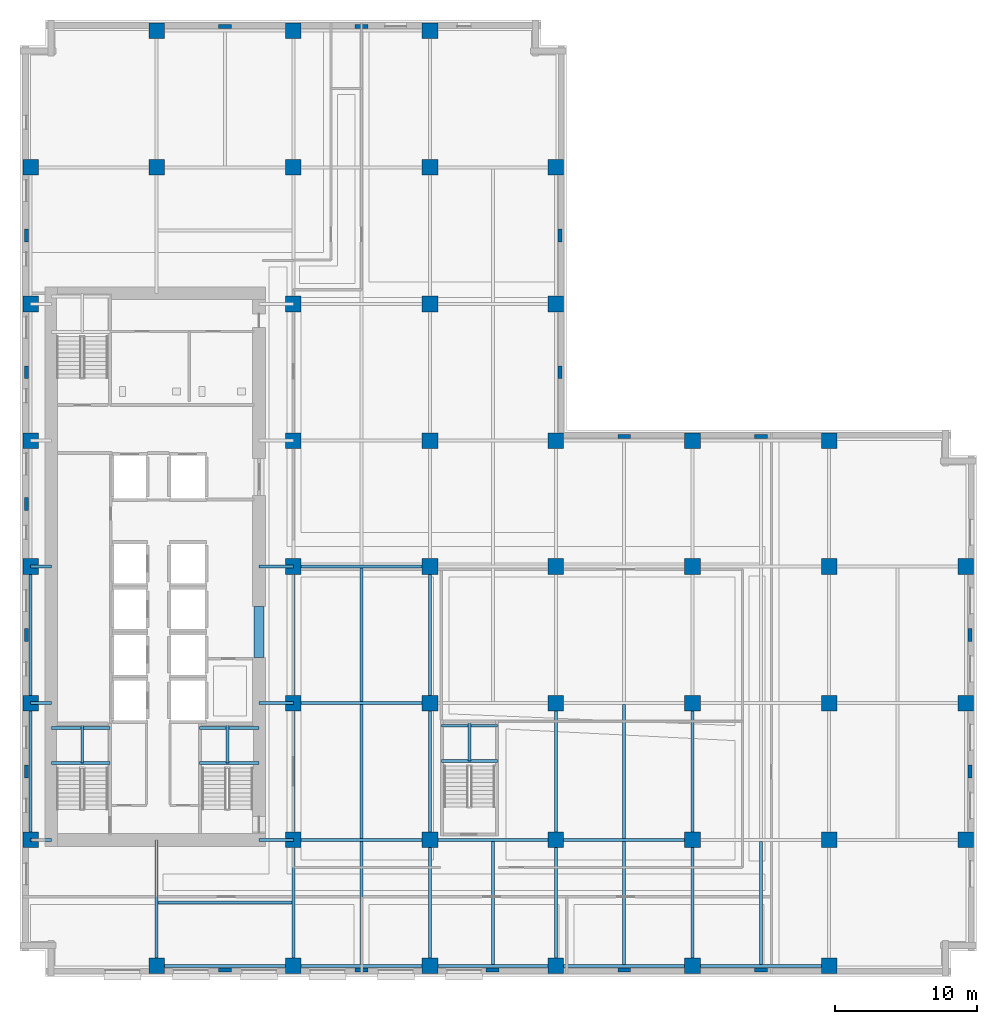
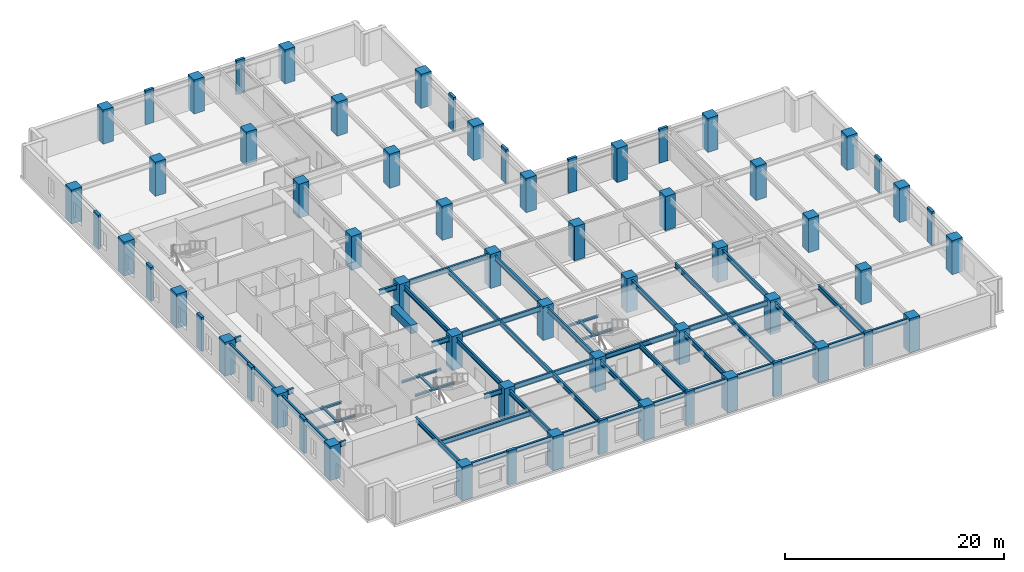
# One storey, part 1 of 14: 63 columns, 47 beams.
"""IFC4 building model written with IfcOpenShell, lengths in metres."""

from ifc_helpers import new_model, si_unit, direction, frame, origin, origin_2d, place, context, subcontext, project, spatial, rectangle, i_section, extrude, material, material_profile, profile_set, type_object, element, save


model = new_model("IFC4")

# Units and contexts
model_context = context("Model", 3, precision=1e-05, world=origin(), true_north=direction((0.0, 1.0)))
body_context = subcontext(model_context, "Body", "Model", "MODEL_VIEW")
ifc_project = project(units=[si_unit("LENGTHUNIT", "METRE"), si_unit("AREAUNIT", "SQUARE_METRE"), si_unit("VOLUMEUNIT", "CUBIC_METRE"), si_unit("PLANEANGLEUNIT", "RADIAN"), si_unit("MASSUNIT", "GRAM", prefix="KILO")], contexts=[model_context])

# Site, building, storey
site_placement = place(None, origin())
site = spatial("IfcSite", under=ifc_project, at=site_placement, CompositionType="ELEMENT")
building_placement = place(site_placement, origin())
building = spatial("IfcBuilding", under=site, at=building_placement, Name="Norrvale University Quadrangle", CompositionType="ELEMENT")
storey_placement = place(building_placement, frame((0.0, 0.0, 73.60009765625)))
storey = spatial("IfcBuildingStorey", under=building, at=storey_placement, Name="L18", CompositionType="ELEMENT", Elevation=73.60009765625)

# Columns
ifc_material_1 = material(Name="Buff Brick Concrete C60/75", Category="concrete")
ifc_material_profile_1 = material_profile(ifc_material_1, rectangle(XDim=0.89990234375, YDim=0.280029296875, at=origin_2d()), Name="Buff Brick Concrete C60/75")
ifc_profile_set_1 = profile_set([ifc_material_profile_1], Name="Buff Brick Concrete C60/75")
column_type_1 = type_object("IfcColumnType", Name="Column Buff Pier 900x280", PredefinedType="PILASTER", material=ifc_profile_set_1)
for number, where, z_axis, x_axis, name in (
    (1, (0.449951171875, 14.39990234375, 0.0), (0.0, 0.0, 1.0), (0.0, 1.0, 0.0), "Exterior Brick Facade Pilaster L18-01"),
    (2, (0.449951171875, 24.0, 0.0), (0.0, 0.0, 1.0), (0.0, 1.0, 0.0), "Exterior Brick Facade Pilaster L18-02"),
    (3, (0.449951171875, 33.199951171875, 0.0), (0.0, 0.0, 1.0), (0.0, 1.0, 0.0), "Exterior Brick Facade Pilaster L18-03"),
    (4, (0.449951171875, 42.449951171875, 0.0), (0.0, 0.0, 1.0), (0.0, 1.0, 0.0), "Exterior Brick Facade Pilaster L18-04"),
    (5, (0.449951171875, 52.050048828125, 0.0), (0.0, 0.0, 1.0), (0.0, 1.0, 0.0), "Exterior Brick Facade Pilaster L18-05"),
    (6, (14.39990234375, 0.449951171875, 0.0), (0.0, 0.0, 1.0), (1.0, 0.0, 0.0), "Exterior Brick Facade Pilaster L18-06"),
    (7, (24.0, 0.449951171875, 0.0), (0.0, 0.0, 1.0), (1.0, 0.0, 0.0), "Exterior Brick Facade Pilaster L18-07"),
    (8, (33.199951171875, 0.449951171875, 0.0), (0.0, 0.0, 1.0), (1.0, 0.0, 0.0), "Exterior Brick Facade Pilaster L18-08"),
    (9, (42.449951171875, 0.449951171875, 0.0), (0.0, 0.0, 1.0), (1.0, 0.0, 0.0), "Exterior Brick Facade Pilaster L18-09"),
    (10, (52.050048828125, 0.449951171875, 0.0), (0.0, 0.0, 1.0), (1.0, 0.0, 0.0), "Exterior Brick Facade Pilaster L18-10"),
    (11, (66.75, 14.39990234375, 0.0), (0.0, 0.0, 1.0), (0.0, 1.0, 0.0), "Exterior Brick Facade Pilaster L18-11"),
    (12, (66.75, 24.0, 0.0), (0.0, 0.0, 1.0), (0.0, 1.0, 0.0), "Exterior Brick Facade Pilaster L18-12"),
    (13, (14.39990234375, 66.75, 0.0), (0.0, 0.0, 1.0), (1.0, 0.0, 0.0), "Exterior Brick Facade Pilaster L18-13"),
    (14, (24.0, 66.75, 0.0), (0.0, 0.0, 1.0), (1.0, 0.0, 0.0), "Exterior Brick Facade Pilaster L18-14"),
    (15, (37.949951171875, 42.449951171875, 0.0), (0.0, 0.0, 1.0), (0.0, 1.0, 0.0), "Exterior Brick Facade Pilaster L18-15"),
    (16, (37.949951171875, 52.050048828125, 0.0), (0.0, 0.0, 1.0), (0.0, 1.0, 0.0), "Exterior Brick Facade Pilaster L18-16"),
    (17, (42.449951171875, 37.949951171875, 0.0), (0.0, 0.0, 1.0), (1.0, 0.0, 0.0), "Exterior Brick Facade Pilaster L18-17"),
    (18, (52.050048828125, 37.949951171875, 0.0), (0.0, 0.0, 1.0), (1.0, 0.0, 0.0), "Exterior Brick Facade Pilaster L18-18"),
):
    element("IfcColumn", number, at=place(storey_placement, frame(where, z_axis=z_axis, x_axis=x_axis)), inside=storey, type_object=column_type_1, Name=name, PredefinedType="PILASTER", context=body_context, shape_type="SweptSolid", body=[
        extrude(rectangle(XDim=0.89990234375, YDim=0.280029296875, at=origin_2d()), origin(), (0.0, 0.0, 1.0), 3.7998046875),
    ])
ifc_material_2 = material(Name="Concrete C80/95", Category="concrete")
ifc_material_profile_2 = material_profile(ifc_material_2, rectangle(XDim=1.10009765625, YDim=1.10009765625, at=origin_2d()), Name="Concrete C80/95")
ifc_profile_set_2 = profile_set([ifc_material_profile_2], Name="Concrete C80/95")
column_type_2 = type_object("IfcColumnType", Name="Column Tower Z1 1100x1100", PredefinedType="COLUMN", material=ifc_profile_set_2)
for number, where, z_axis, x_axis, name in (
    (19, (0.75, 9.60009765625, 0.0), (0.0, 0.0, 1.0), (1.0, 0.0, 0.0), "Tower Column L18-T01"),
    (20, (0.75, 19.199951171875, 0.0), (0.0, 0.0, 1.0), (1.0, 0.0, 0.0), "Tower Column L18-T02"),
    (21, (0.75, 28.800048828125, 0.0), (0.0, 0.0, 1.0), (1.0, 0.0, 0.0), "Tower Column L18-T03"),
    (22, (0.75, 37.64990234375, 0.0), (0.0, 0.0, 1.0), (1.0, 0.0, 0.0), "Tower Column L18-T04"),
    (23, (0.75, 47.25, 0.0), (0.0, 0.0, 1.0), (1.0, 0.0, 0.0), "Tower Column L18-T05"),
    (24, (0.75, 56.85009765625, 0.0), (0.0, 0.0, 1.0), (1.0, 0.0, 0.0), "Tower Column L18-T06"),
    (25, (9.60009765625, 0.75, 0.0), (0.0, 0.0, 1.0), (1.0, 0.0, 0.0), "Tower Column L18-T07"),
    (26, (9.60009765625, 56.85009765625, 0.0), (0.0, 0.0, 1.0), (1.0, 0.0, 0.0), "Tower Column L18-T08"),
    (27, (9.60009765625, 66.449951171875, 0.0), (0.0, 0.0, 1.0), (1.0, 0.0, 0.0), "Tower Column L18-T09"),
    (28, (19.199951171875, 0.75, 0.0), (0.0, 0.0, 1.0), (1.0, 0.0, 0.0), "Tower Column L18-T10"),
    (29, (19.199951171875, 9.60009765625, 0.0), (0.0, 0.0, 1.0), (1.0, 0.0, 0.0), "Tower Column L18-T11"),
    (30, (19.199951171875, 19.199951171875, 0.0), (0.0, 0.0, 1.0), (1.0, 0.0, 0.0), "Tower Column L18-T12"),
    (31, (19.199951171875, 28.800048828125, 0.0), (0.0, 0.0, 1.0), (1.0, 0.0, 0.0), "Tower Column L18-T13"),
    (32, (19.199951171875, 37.64990234375, 0.0), (0.0, 0.0, 1.0), (1.0, 0.0, 0.0), "Tower Column L18-T14"),
    (33, (19.199951171875, 47.25, 0.0), (0.0, 0.0, 1.0), (1.0, 0.0, 0.0), "Tower Column L18-T15"),
    (34, (19.199951171875, 56.85009765625, 0.0), (0.0, 0.0, 1.0), (1.0, 0.0, 0.0), "Tower Column L18-T16"),
    (35, (19.199951171875, 66.449951171875, 0.0), (0.0, 0.0, 1.0), (1.0, 0.0, 0.0), "Tower Column L18-T17"),
    (36, (28.800048828125, 0.75, 0.0), (0.0, 0.0, 1.0), (1.0, 0.0, 0.0), "Tower Column L18-T18"),
    (37, (28.800048828125, 9.60009765625, 0.0), (0.0, 0.0, 1.0), (1.0, 0.0, 0.0), "Tower Column L18-T19"),
    (38, (28.800048828125, 19.199951171875, 0.0), (0.0, 0.0, 1.0), (1.0, 0.0, 0.0), "Tower Column L18-T20"),
    (39, (28.800048828125, 28.800048828125, 0.0), (0.0, 0.0, 1.0), (1.0, 0.0, 0.0), "Tower Column L18-T21"),
    (40, (28.800048828125, 37.64990234375, 0.0), (0.0, 0.0, 1.0), (1.0, 0.0, 0.0), "Tower Column L18-T22"),
    (41, (28.800048828125, 47.25, 0.0), (0.0, 0.0, 1.0), (1.0, 0.0, 0.0), "Tower Column L18-T23"),
    (42, (28.800048828125, 56.85009765625, 0.0), (0.0, 0.0, 1.0), (1.0, 0.0, 0.0), "Tower Column L18-T24"),
    (43, (28.800048828125, 66.449951171875, 0.0), (0.0, 0.0, 1.0), (1.0, 0.0, 0.0), "Tower Column L18-T25"),
    (44, (37.64990234375, 0.75, 0.0), (0.0, 0.0, 1.0), (1.0, 0.0, 0.0), "Tower Column L18-T26"),
    (45, (37.64990234375, 9.60009765625, 0.0), (0.0, 0.0, 1.0), (1.0, 0.0, 0.0), "Tower Column L18-T27"),
    (46, (37.64990234375, 19.199951171875, 0.0), (0.0, 0.0, 1.0), (1.0, 0.0, 0.0), "Tower Column L18-T28"),
    (47, (37.64990234375, 28.800048828125, 0.0), (0.0, 0.0, 1.0), (1.0, 0.0, 0.0), "Tower Column L18-T29"),
    (48, (37.64990234375, 37.64990234375, 0.0), (0.0, 0.0, 1.0), (1.0, 0.0, 0.0), "Tower Column L18-T30"),
    (49, (37.64990234375, 47.25, 0.0), (0.0, 0.0, 1.0), (1.0, 0.0, 0.0), "Tower Column L18-T31"),
    (50, (37.64990234375, 56.85009765625, 0.0), (0.0, 0.0, 1.0), (1.0, 0.0, 0.0), "Tower Column L18-T32"),
    (51, (47.25, 0.75, 0.0), (0.0, 0.0, 1.0), (1.0, 0.0, 0.0), "Tower Column L18-T33"),
    (52, (47.25, 9.60009765625, 0.0), (0.0, 0.0, 1.0), (1.0, 0.0, 0.0), "Tower Column L18-T34"),
    (53, (47.25, 19.199951171875, 0.0), (0.0, 0.0, 1.0), (1.0, 0.0, 0.0), "Tower Column L18-T35"),
    (54, (47.25, 28.800048828125, 0.0), (0.0, 0.0, 1.0), (1.0, 0.0, 0.0), "Tower Column L18-T36"),
    (55, (47.25, 37.64990234375, 0.0), (0.0, 0.0, 1.0), (1.0, 0.0, 0.0), "Tower Column L18-T37"),
    (56, (56.85009765625, 0.75, 0.0), (0.0, 0.0, 1.0), (1.0, 0.0, 0.0), "Tower Column L18-T38"),
    (57, (56.85009765625, 9.60009765625, 0.0), (0.0, 0.0, 1.0), (1.0, 0.0, 0.0), "Tower Column L18-T39"),
    (58, (56.85009765625, 19.199951171875, 0.0), (0.0, 0.0, 1.0), (1.0, 0.0, 0.0), "Tower Column L18-T40"),
    (59, (56.85009765625, 28.800048828125, 0.0), (0.0, 0.0, 1.0), (1.0, 0.0, 0.0), "Tower Column L18-T41"),
    (60, (56.85009765625, 37.64990234375, 0.0), (0.0, 0.0, 1.0), (1.0, 0.0, 0.0), "Tower Column L18-T42"),
    (61, (66.449951171875, 9.60009765625, 0.0), (0.0, 0.0, 1.0), (1.0, 0.0, 0.0), "Tower Column L18-T43"),
    (62, (66.449951171875, 19.199951171875, 0.0), (0.0, 0.0, 1.0), (1.0, 0.0, 0.0), "Tower Column L18-T44"),
    (63, (66.449951171875, 28.800048828125, 0.0), (0.0, 0.0, 1.0), (1.0, 0.0, 0.0), "Tower Column L18-T45"),
):
    element("IfcColumn", number, at=place(storey_placement, frame(where, z_axis=z_axis, x_axis=x_axis)), inside=storey, type_object=column_type_2, Name=name, PredefinedType="COLUMN", context=body_context, shape_type="SweptSolid", body=[
        extrude(rectangle(XDim=1.10009765625, YDim=1.10009765625, at=origin_2d()), origin(), (0.0, 0.0, 1.0), 3.7998046875),
    ])

# Beams
ifc_material_profile_3 = material_profile(ifc_material_2, rectangle(XDim=0.699951171875, YDim=0.949951171875, at=origin_2d()), Name="Concrete C80/95")
ifc_profile_set_3 = profile_set([ifc_material_profile_3], Name="Concrete C80/95")
beam_type_1 = type_object("IfcBeamType", Name="Beam Core Link 700x950", PredefinedType="LINTEL", material=ifc_profile_set_3)
beam_1_placement = place(storey_placement, frame((16.800048828125, 22.39990234375, 3.06494140625), z_axis=(0.0, 1.0, 0.0), x_axis=(-1.0, 0.0, 0.0)))
element("IfcBeam", 64, at=beam_1_placement, inside=storey, type_object=beam_type_1, Name="Core Coupling Lintel Beam L18-1", PredefinedType="LINTEL", context=body_context, shape_type="SweptSolid", body=[
    extrude(rectangle(XDim=0.699951171875, YDim=0.949951171875, at=origin_2d()), origin(), (0.0, 0.0, 1.0), 3.60009765625),
])
ifc_material_3 = material(Name="Steel 350W", Category="steel")
ifc_material_profile_4 = material_profile(ifc_material_3, i_section(OverallWidth=0.2119140625, OverallDepth=0.5439453125, WebThickness=0.01318359375, FlangeThickness=0.021240234375, FilletRadius=0.013916015625, at=origin_2d()), Name="Steel 350W")
ifc_profile_set_4 = profile_set([ifc_material_profile_4], Name="Steel 350W")
beam_type_2 = type_object("IfcBeamType", Name="Beam Floor W530x123", PredefinedType="BEAM", material=ifc_profile_set_4)
beam_2_placement = place(storey_placement, frame((9.60009765625, 0.75, 3.267822265625), z_axis=(1.0, 0.0, 0.0), x_axis=(0.0, 1.0, 0.0)))
element("IfcBeam", 65, at=beam_2_placement, inside=storey, type_object=beam_type_2, Name="Beam Floor W530x123 BM-L18-GX001", PredefinedType="BEAM", context=body_context, shape_type="SweptSolid", body=[
    extrude(i_section(OverallWidth=0.2119140625, OverallDepth=0.5439453125, WebThickness=0.01318359375, FlangeThickness=0.021240234375, FilletRadius=0.013916015625, at=origin_2d()), origin(), (0.0, 0.0, 1.0), 9.599853515625),
])
beam_3_placement = place(storey_placement, frame((19.199951171875, 0.75, 3.267822265625), z_axis=(1.0, 0.0, 0.0), x_axis=(0.0, 1.0, 0.0)))
element("IfcBeam", 66, at=beam_3_placement, inside=storey, type_object=beam_type_2, Name="Beam Floor W530x123 BM-L18-GX002", PredefinedType="BEAM", context=body_context, shape_type="SweptSolid", body=[
    extrude(i_section(OverallWidth=0.2119140625, OverallDepth=0.5439453125, WebThickness=0.01318359375, FlangeThickness=0.021240234375, FilletRadius=0.013916015625, at=origin_2d()), origin(), (0.0, 0.0, 1.0), 9.60009765625),
])
beam_4_placement = place(storey_placement, frame((28.800048828125, 0.75, 3.267822265625), z_axis=(1.0, 0.0, 0.0), x_axis=(0.0, 1.0, 0.0)))
element("IfcBeam", 67, at=beam_4_placement, inside=storey, type_object=beam_type_2, Name="Beam Floor W530x123 BM-L18-GX003", PredefinedType="BEAM", context=body_context, shape_type="SweptSolid", body=[
    extrude(i_section(OverallWidth=0.2119140625, OverallDepth=0.5439453125, WebThickness=0.01318359375, FlangeThickness=0.021240234375, FilletRadius=0.013916015625, at=origin_2d()), origin(), (0.0, 0.0, 1.0), 8.849853515625),
])
for number, where, z_axis, x_axis, name in (
    (68, (37.64990234375, 0.75, 3.267822265625), (1.0, 0.0, 0.0), (0.0, 1.0, 0.0), "Beam Floor W530x123 BM-L18-GX004"),
    (69, (47.25, 0.75, 3.267822265625), (1.0, 0.0, 0.0), (0.0, 1.0, 0.0), "Beam Floor W530x123 BM-L18-GX005"),
    (70, (19.199951171875, 9.60009765625, 3.267822265625), (1.0, 0.0, 0.0), (0.0, 1.0, 0.0), "Beam Floor W530x123 BM-L18-GX006"),
):
    element("IfcBeam", number, at=place(storey_placement, frame(where, z_axis=z_axis, x_axis=x_axis)), inside=storey, type_object=beam_type_2, Name=name, PredefinedType="BEAM", context=body_context, shape_type="SweptSolid", body=[
        extrude(i_section(OverallWidth=0.2119140625, OverallDepth=0.5439453125, WebThickness=0.01318359375, FlangeThickness=0.021240234375, FilletRadius=0.013916015625, at=origin_2d()), origin(), (0.0, 0.0, 1.0), 9.60009765625),
    ])
beam_5_placement = place(storey_placement, frame((28.800048828125, 9.60009765625, 3.267822265625), z_axis=(1.0, 0.0, 0.0), x_axis=(0.0, 1.0, 0.0)))
element("IfcBeam", 71, at=beam_5_placement, inside=storey, type_object=beam_type_2, Name="Beam Floor W530x123 BM-L18-GX007", PredefinedType="BEAM", context=body_context, shape_type="SweptSolid", body=[
    extrude(i_section(OverallWidth=0.2119140625, OverallDepth=0.5439453125, WebThickness=0.01318359375, FlangeThickness=0.021240234375, FilletRadius=0.013916015625, at=origin_2d()), origin(), (0.0, 0.0, 1.0), 8.849853515625),
])
for number, where, z_axis, x_axis, name in (
    (72, (37.64990234375, 9.60009765625, 3.267822265625), (1.0, 0.0, 0.0), (0.0, 1.0, 0.0), "Beam Floor W530x123 BM-L18-GX008"),
    (73, (19.199951171875, 19.199951171875, 3.267822265625), (1.0, 0.0, 0.0), (0.0, 1.0, 0.0), "Beam Floor W530x123 BM-L18-GX011"),
    (74, (19.199951171875, 28.800048828125, 3.267822265625), (1.0, 0.0, 0.0), (0.0, 1.0, 0.0), "Beam Floor W530x123 BM-L18-GX016"),
):
    element("IfcBeam", number, at=place(storey_placement, frame(where, z_axis=z_axis, x_axis=x_axis)), inside=storey, type_object=beam_type_2, Name=name, PredefinedType="BEAM", context=body_context, shape_type="SweptSolid", body=[
        extrude(i_section(OverallWidth=0.2119140625, OverallDepth=0.5439453125, WebThickness=0.01318359375, FlangeThickness=0.021240234375, FilletRadius=0.013916015625, at=origin_2d()), origin(), (0.0, 0.0, 1.0), 9.60009765625),
    ])
beam_6_placement = place(storey_placement, frame((0.75, 9.60009765625, 3.267822265625), z_axis=(0.0, 1.0, 0.0), x_axis=(-1.0, 0.0, 0.0)))
element("IfcBeam", 75, at=beam_6_placement, inside=storey, type_object=beam_type_2, Name="Beam Floor W530x123 BM-L18-GY033", PredefinedType="BEAM", context=body_context, shape_type="SweptSolid", body=[
    extrude(i_section(OverallWidth=0.2119140625, OverallDepth=0.5439453125, WebThickness=0.01318359375, FlangeThickness=0.021240234375, FilletRadius=0.013916015625, at=origin_2d()), origin(), (0.0, 0.0, 1.0), 9.599853515625),
])
beam_7_placement = place(storey_placement, frame((0.75, 19.199951171875, 3.267822265625), z_axis=(0.0, 1.0, 0.0), x_axis=(-1.0, 0.0, 0.0)))
element("IfcBeam", 76, at=beam_7_placement, inside=storey, type_object=beam_type_2, Name="Beam Floor W530x123 BM-L18-GY034", PredefinedType="BEAM", context=body_context, shape_type="SweptSolid", body=[
    extrude(i_section(OverallWidth=0.2119140625, OverallDepth=0.5439453125, WebThickness=0.01318359375, FlangeThickness=0.021240234375, FilletRadius=0.013916015625, at=origin_2d()), origin(), (0.0, 0.0, 1.0), 9.60009765625),
])
beam_8_placement = place(storey_placement, frame((19.199951171875, 0.75, 3.267822265625), z_axis=(0.0, 1.0, 0.0), x_axis=(-1.0, 0.0, 0.0)))
element("IfcBeam", 77, at=beam_8_placement, inside=storey, type_object=beam_type_2, Name="Beam Floor W530x123 BM-L18-GY039", PredefinedType="BEAM", context=body_context, shape_type="SweptSolid", body=[
    extrude(i_section(OverallWidth=0.2119140625, OverallDepth=0.5439453125, WebThickness=0.01318359375, FlangeThickness=0.021240234375, FilletRadius=0.013916015625, at=origin_2d()), origin(), (0.0, 0.0, 1.0), 8.85009765625),
])
beam_9_placement = place(storey_placement, frame((19.199951171875, 9.60009765625, 3.267822265625), z_axis=(0.0, 1.0, 0.0), x_axis=(-1.0, 0.0, 0.0)))
element("IfcBeam", 78, at=beam_9_placement, inside=storey, type_object=beam_type_2, Name="Beam Floor W530x123 BM-L18-GY040", PredefinedType="BEAM", context=body_context, shape_type="SweptSolid", body=[
    extrude(i_section(OverallWidth=0.2119140625, OverallDepth=0.5439453125, WebThickness=0.01318359375, FlangeThickness=0.021240234375, FilletRadius=0.013916015625, at=origin_2d()), origin(), (0.0, 0.0, 1.0), 9.599853515625),
])
beam_10_placement = place(storey_placement, frame((19.199951171875, 19.199951171875, 3.267822265625), z_axis=(0.0, 1.0, 0.0), x_axis=(-1.0, 0.0, 0.0)))
element("IfcBeam", 79, at=beam_10_placement, inside=storey, type_object=beam_type_2, Name="Beam Floor W530x123 BM-L18-GY041", PredefinedType="BEAM", context=body_context, shape_type="SweptSolid", body=[
    extrude(i_section(OverallWidth=0.2119140625, OverallDepth=0.5439453125, WebThickness=0.01318359375, FlangeThickness=0.021240234375, FilletRadius=0.013916015625, at=origin_2d()), origin(), (0.0, 0.0, 1.0), 9.60009765625),
])
beam_11_placement = place(storey_placement, frame((28.800048828125, 0.75, 3.267822265625), z_axis=(0.0, 1.0, 0.0), x_axis=(-1.0, 0.0, 0.0)))
element("IfcBeam", 80, at=beam_11_placement, inside=storey, type_object=beam_type_2, Name="Beam Floor W530x123 BM-L18-GY046", PredefinedType="BEAM", context=body_context, shape_type="SweptSolid", body=[
    extrude(i_section(OverallWidth=0.2119140625, OverallDepth=0.5439453125, WebThickness=0.01318359375, FlangeThickness=0.021240234375, FilletRadius=0.013916015625, at=origin_2d()), origin(), (0.0, 0.0, 1.0), 8.85009765625),
])
beam_12_placement = place(storey_placement, frame((28.800048828125, 9.60009765625, 3.267822265625), z_axis=(0.0, 1.0, 0.0), x_axis=(-1.0, 0.0, 0.0)))
element("IfcBeam", 81, at=beam_12_placement, inside=storey, type_object=beam_type_2, Name="Beam Floor W530x123 BM-L18-GY047", PredefinedType="BEAM", context=body_context, shape_type="SweptSolid", body=[
    extrude(i_section(OverallWidth=0.2119140625, OverallDepth=0.5439453125, WebThickness=0.01318359375, FlangeThickness=0.021240234375, FilletRadius=0.013916015625, at=origin_2d()), origin(), (0.0, 0.0, 1.0), 9.599853515625),
])
beam_13_placement = place(storey_placement, frame((28.800048828125, 19.199951171875, 3.267822265625), z_axis=(0.0, 1.0, 0.0), x_axis=(-1.0, 0.0, 0.0)))
element("IfcBeam", 82, at=beam_13_placement, inside=storey, type_object=beam_type_2, Name="Beam Floor W530x123 BM-L18-GY048", PredefinedType="BEAM", context=body_context, shape_type="SweptSolid", body=[
    extrude(i_section(OverallWidth=0.2119140625, OverallDepth=0.5439453125, WebThickness=0.01318359375, FlangeThickness=0.021240234375, FilletRadius=0.013916015625, at=origin_2d()), origin(), (0.0, 0.0, 1.0), 9.60009765625),
])
beam_14_placement = place(storey_placement, frame((37.64990234375, 0.75, 3.267822265625), z_axis=(0.0, 1.0, 0.0), x_axis=(-1.0, 0.0, 0.0)))
element("IfcBeam", 83, at=beam_14_placement, inside=storey, type_object=beam_type_2, Name="Beam Floor W530x123 BM-L18-GY053", PredefinedType="BEAM", context=body_context, shape_type="SweptSolid", body=[
    extrude(i_section(OverallWidth=0.2119140625, OverallDepth=0.5439453125, WebThickness=0.01318359375, FlangeThickness=0.021240234375, FilletRadius=0.013916015625, at=origin_2d()), origin(), (0.0, 0.0, 1.0), 8.85009765625),
])
beam_15_placement = place(storey_placement, frame((37.64990234375, 9.60009765625, 3.267822265625), z_axis=(0.0, 1.0, 0.0), x_axis=(-1.0, 0.0, 0.0)))
element("IfcBeam", 84, at=beam_15_placement, inside=storey, type_object=beam_type_2, Name="Beam Floor W530x123 BM-L18-GY054", PredefinedType="BEAM", context=body_context, shape_type="SweptSolid", body=[
    extrude(i_section(OverallWidth=0.2119140625, OverallDepth=0.5439453125, WebThickness=0.01318359375, FlangeThickness=0.021240234375, FilletRadius=0.013916015625, at=origin_2d()), origin(), (0.0, 0.0, 1.0), 9.599853515625),
])
beam_16_placement = place(storey_placement, frame((47.25, 0.75, 3.267822265625), z_axis=(0.0, 1.0, 0.0), x_axis=(-1.0, 0.0, 0.0)))
element("IfcBeam", 85, at=beam_16_placement, inside=storey, type_object=beam_type_2, Name="Beam Floor W530x123 BM-L18-GY059", PredefinedType="BEAM", context=body_context, shape_type="SweptSolid", body=[
    extrude(i_section(OverallWidth=0.2119140625, OverallDepth=0.5439453125, WebThickness=0.01318359375, FlangeThickness=0.021240234375, FilletRadius=0.013916015625, at=origin_2d()), origin(), (0.0, 0.0, 1.0), 8.85009765625),
])
beam_17_placement = place(storey_placement, frame((47.25, 9.60009765625, 3.267822265625), z_axis=(0.0, 1.0, 0.0), x_axis=(-1.0, 0.0, 0.0)))
element("IfcBeam", 86, at=beam_17_placement, inside=storey, type_object=beam_type_2, Name="Beam Floor W530x123 BM-L18-GY060", PredefinedType="BEAM", context=body_context, shape_type="SweptSolid", body=[
    extrude(i_section(OverallWidth=0.2119140625, OverallDepth=0.5439453125, WebThickness=0.01318359375, FlangeThickness=0.021240234375, FilletRadius=0.013916015625, at=origin_2d()), origin(), (0.0, 0.0, 1.0), 9.599853515625),
])
beam_18_placement = place(storey_placement, frame((0.75, 9.60009765625, 3.267822265625), z_axis=(1.0, 0.0, 0.0), x_axis=(0.0, 1.0, 0.0)))
element("IfcBeam", 87, at=beam_18_placement, inside=storey, type_object=beam_type_2, Name="Beam Floor W530x123 BM-L18-GCW069", PredefinedType="BEAM", context=body_context, shape_type="SweptSolid", body=[
    extrude(i_section(OverallWidth=0.2119140625, OverallDepth=0.5439453125, WebThickness=0.01318359375, FlangeThickness=0.021240234375, FilletRadius=0.013916015625, at=origin_2d()), origin(), (0.0, 0.0, 1.0), 1.449951171875),
])
beam_19_placement = place(storey_placement, frame((16.800048828125, 9.60009765625, 3.267822265625), z_axis=(1.0, 0.0, 0.0), x_axis=(0.0, 1.0, 0.0)))
element("IfcBeam", 88, at=beam_19_placement, inside=storey, type_object=beam_type_2, Name="Beam Floor W530x123 BM-L18-GCE070", PredefinedType="BEAM", context=body_context, shape_type="SweptSolid", body=[
    extrude(i_section(OverallWidth=0.2119140625, OverallDepth=0.5439453125, WebThickness=0.01318359375, FlangeThickness=0.021240234375, FilletRadius=0.013916015625, at=origin_2d()), origin(), (0.0, 0.0, 1.0), 2.39990234375),
])
beam_20_placement = place(storey_placement, frame((0.75, 19.199951171875, 3.267822265625), z_axis=(1.0, 0.0, 0.0), x_axis=(0.0, 1.0, 0.0)))
element("IfcBeam", 89, at=beam_20_placement, inside=storey, type_object=beam_type_2, Name="Beam Floor W530x123 BM-L18-GCW071", PredefinedType="BEAM", context=body_context, shape_type="SweptSolid", body=[
    extrude(i_section(OverallWidth=0.2119140625, OverallDepth=0.5439453125, WebThickness=0.01318359375, FlangeThickness=0.021240234375, FilletRadius=0.013916015625, at=origin_2d()), origin(), (0.0, 0.0, 1.0), 1.449951171875),
])
beam_21_placement = place(storey_placement, frame((16.800048828125, 19.199951171875, 3.267822265625), z_axis=(1.0, 0.0, 0.0), x_axis=(0.0, 1.0, 0.0)))
element("IfcBeam", 90, at=beam_21_placement, inside=storey, type_object=beam_type_2, Name="Beam Floor W530x123 BM-L18-GCE072", PredefinedType="BEAM", context=body_context, shape_type="SweptSolid", body=[
    extrude(i_section(OverallWidth=0.2119140625, OverallDepth=0.5439453125, WebThickness=0.01318359375, FlangeThickness=0.021240234375, FilletRadius=0.013916015625, at=origin_2d()), origin(), (0.0, 0.0, 1.0), 2.39990234375),
])
beam_22_placement = place(storey_placement, frame((0.75, 28.800048828125, 3.267822265625), z_axis=(1.0, 0.0, 0.0), x_axis=(0.0, 1.0, 0.0)))
element("IfcBeam", 91, at=beam_22_placement, inside=storey, type_object=beam_type_2, Name="Beam Floor W530x123 BM-L18-GCW073", PredefinedType="BEAM", context=body_context, shape_type="SweptSolid", body=[
    extrude(i_section(OverallWidth=0.2119140625, OverallDepth=0.5439453125, WebThickness=0.01318359375, FlangeThickness=0.021240234375, FilletRadius=0.013916015625, at=origin_2d()), origin(), (0.0, 0.0, 1.0), 1.449951171875),
])
beam_23_placement = place(storey_placement, frame((16.800048828125, 28.800048828125, 3.267822265625), z_axis=(1.0, 0.0, 0.0), x_axis=(0.0, 1.0, 0.0)))
element("IfcBeam", 92, at=beam_23_placement, inside=storey, type_object=beam_type_2, Name="Beam Floor W530x123 BM-L18-GCE074", PredefinedType="BEAM", context=body_context, shape_type="SweptSolid", body=[
    extrude(i_section(OverallWidth=0.2119140625, OverallDepth=0.5439453125, WebThickness=0.01318359375, FlangeThickness=0.021240234375, FilletRadius=0.013916015625, at=origin_2d()), origin(), (0.0, 0.0, 1.0), 2.39990234375),
])
beam_24_placement = place(storey_placement, frame((9.60009765625, 0.75, 3.267822265625), z_axis=(0.0, 1.0, 0.0), x_axis=(-1.0, 0.0, 0.0)))
element("IfcBeam", 93, at=beam_24_placement, inside=storey, type_object=beam_type_2, Name="Beam Floor W530x123 BM-L18-GCS102", PredefinedType="BEAM", context=body_context, shape_type="SweptSolid", body=[
    extrude(i_section(OverallWidth=0.2119140625, OverallDepth=0.5439453125, WebThickness=0.01318359375, FlangeThickness=0.021240234375, FilletRadius=0.013916015625, at=origin_2d()), origin(), (0.0, 0.0, 1.0), 8.85009765625),
])
ifc_material_profile_5 = material_profile(ifc_material_3, i_section(OverallWidth=0.208984375, OverallDepth=0.532958984375, WebThickness=0.01025390625, FlangeThickness=0.015625, FilletRadius=0.013916015625, at=origin_2d()), Name="Steel 350W")
ifc_profile_set_5 = profile_set([ifc_material_profile_5], Name="Steel 350W")
beam_type_3 = type_object("IfcBeamType", Name="Beam Floor W530x92", PredefinedType="JOIST", material=ifc_profile_set_5)
beam_25_placement = place(storey_placement, frame((24.0, 0.85595703125, 3.2734375), z_axis=(0.0, 1.0, 0.0), x_axis=(-1.0, 0.0, 0.0)))
element("IfcBeam", 94, at=beam_25_placement, inside=storey, type_object=beam_type_3, Name="Beam Floor W530x92 BM-L18-J080", PredefinedType="JOIST", context=body_context, shape_type="SweptSolid", body=[
    extrude(i_section(OverallWidth=0.208984375, OverallDepth=0.532958984375, WebThickness=0.01025390625, FlangeThickness=0.015625, FilletRadius=0.013916015625, at=origin_2d()), origin(), (0.0, 0.0, 1.0), 8.637939453125),
])
beam_26_placement = place(storey_placement, frame((24.0, 9.7060546875, 3.2734375), z_axis=(0.0, 1.0, 0.0), x_axis=(-1.0, 0.0, 0.0)))
element("IfcBeam", 95, at=beam_26_placement, inside=storey, type_object=beam_type_3, Name="Beam Floor W530x92 BM-L18-J081", PredefinedType="JOIST", context=body_context, shape_type="SweptSolid", body=[
    extrude(i_section(OverallWidth=0.208984375, OverallDepth=0.532958984375, WebThickness=0.01025390625, FlangeThickness=0.015625, FilletRadius=0.013916015625, at=origin_2d()), origin(), (0.0, 0.0, 1.0), 9.387939453125),
])
beam_27_placement = place(storey_placement, frame((24.0, 19.305908203125, 3.2734375), z_axis=(0.0, 1.0, 0.0), x_axis=(-1.0, 0.0, 0.0)))
element("IfcBeam", 96, at=beam_27_placement, inside=storey, type_object=beam_type_3, Name="Beam Floor W530x92 BM-L18-J082", PredefinedType="JOIST", context=body_context, shape_type="SweptSolid", body=[
    extrude(i_section(OverallWidth=0.208984375, OverallDepth=0.532958984375, WebThickness=0.01025390625, FlangeThickness=0.015625, FilletRadius=0.013916015625, at=origin_2d()), origin(), (0.0, 0.0, 1.0), 9.38818359375),
])
for number, where, z_axis, x_axis, name in (
    (97, (33.22509765625, 0.85595703125, 3.2734375), (0.0, 1.0, 0.0), (-1.0, 0.0, 0.0), "Beam Floor W530x92 BM-L18-J087"),
    (98, (42.449951171875, 0.85595703125, 3.2734375), (0.0, 1.0, 0.0), (-1.0, 0.0, 0.0), "Beam Floor W530x92 BM-L18-J092"),
):
    element("IfcBeam", number, at=place(storey_placement, frame(where, z_axis=z_axis, x_axis=x_axis)), inside=storey, type_object=beam_type_3, Name=name, PredefinedType="JOIST", context=body_context, shape_type="SweptSolid", body=[
        extrude(i_section(OverallWidth=0.208984375, OverallDepth=0.532958984375, WebThickness=0.01025390625, FlangeThickness=0.015625, FilletRadius=0.013916015625, at=origin_2d()), origin(), (0.0, 0.0, 1.0), 8.637939453125),
    ])
beam_28_placement = place(storey_placement, frame((42.449951171875, 9.7060546875, 3.2734375), z_axis=(0.0, 1.0, 0.0), x_axis=(-1.0, 0.0, 0.0)))
element("IfcBeam", 99, at=beam_28_placement, inside=storey, type_object=beam_type_3, Name="Beam Floor W530x92 BM-L18-J093", PredefinedType="JOIST", context=body_context, shape_type="SweptSolid", body=[
    extrude(i_section(OverallWidth=0.208984375, OverallDepth=0.532958984375, WebThickness=0.01025390625, FlangeThickness=0.015625, FilletRadius=0.013916015625, at=origin_2d()), origin(), (0.0, 0.0, 1.0), 9.387939453125),
])
beam_29_placement = place(storey_placement, frame((52.050048828125, 0.85595703125, 3.2734375), z_axis=(0.0, 1.0, 0.0), x_axis=(-1.0, 0.0, 0.0)))
element("IfcBeam", 100, at=beam_29_placement, inside=storey, type_object=beam_type_3, Name="Beam Floor W530x92 BM-L18-J096", PredefinedType="JOIST", context=body_context, shape_type="SweptSolid", body=[
    extrude(i_section(OverallWidth=0.208984375, OverallDepth=0.532958984375, WebThickness=0.01025390625, FlangeThickness=0.015625, FilletRadius=0.013916015625, at=origin_2d()), origin(), (0.0, 0.0, 1.0), 8.637939453125),
])
beam_30_placement = place(storey_placement, frame((9.7060546875, 5.199951171875, 3.2734375), z_axis=(1.0, 0.0, 0.0), x_axis=(0.0, 1.0, 0.0)))
element("IfcBeam", 101, at=beam_30_placement, inside=storey, type_object=beam_type_3, Name="Beam Floor W530x92 BM-L18-JCS103", PredefinedType="JOIST", context=body_context, shape_type="SweptSolid", body=[
    extrude(i_section(OverallWidth=0.208984375, OverallDepth=0.532958984375, WebThickness=0.01025390625, FlangeThickness=0.015625, FilletRadius=0.013916015625, at=origin_2d()), origin(), (0.0, 0.0, 1.0), 9.387939453125),
])
ifc_material_profile_6 = material_profile(ifc_material_3, i_section(OverallWidth=0.201904296875, OverallDepth=0.2470703125, WebThickness=0.00732421875, FlangeThickness=0.010986328125, FilletRadius=0.011962890625, at=origin_2d()), Name="Steel 350W")
ifc_profile_set_6 = profile_set([ifc_material_profile_6], Name="Steel 350W")
beam_type_4 = type_object("IfcBeamType", Name="Beam Stair W250x49", PredefinedType="BEAM", material=ifc_profile_set_6)
for number, where, z_axis, x_axis, name in (
    (102, (2.199951171875, 14.989990234375, 1.576416015625), (1.0, 0.0, 0.0), (0.0, 1.0, 0.0), "Stair Mid-Landing Front Beam ST-01 L18"),
    (103, (2.199951171875, 17.469970703125, 1.576416015625), (1.0, 0.0, 0.0), (0.0, 1.0, 0.0), "Stair Mid-Landing Rear Beam ST-01 L18"),
):
    element("IfcBeam", number, at=place(storey_placement, frame(where, z_axis=z_axis, x_axis=x_axis)), inside=storey, type_object=beam_type_4, Name=name, PredefinedType="BEAM", context=body_context, shape_type="SweptSolid", body=[
        extrude(i_section(OverallWidth=0.201904296875, OverallDepth=0.2470703125, WebThickness=0.00732421875, FlangeThickness=0.010986328125, FilletRadius=0.011962890625, at=origin_2d()), origin(), (0.0, 0.0, 1.0), 4.14013671875),
    ])
for number, where, z_axis, x_axis, name in (
    (104, (12.610107421875, 14.989990234375, 1.576416015625), (1.0, 0.0, 0.0), (0.0, 1.0, 0.0), "Stair Mid-Landing Front Beam ST-03 L18"),
    (105, (12.610107421875, 17.469970703125, 1.576416015625), (1.0, 0.0, 0.0), (0.0, 1.0, 0.0), "Stair Mid-Landing Rear Beam ST-03 L18"),
):
    element("IfcBeam", number, at=place(storey_placement, frame(where, z_axis=z_axis, x_axis=x_axis)), inside=storey, type_object=beam_type_4, Name=name, PredefinedType="BEAM", context=body_context, shape_type="SweptSolid", body=[
        extrude(i_section(OverallWidth=0.201904296875, OverallDepth=0.2470703125, WebThickness=0.00732421875, FlangeThickness=0.010986328125, FilletRadius=0.011962890625, at=origin_2d()), origin(), (0.0, 0.0, 1.0), 4.18994140625),
    ])
for number, where, z_axis, x_axis, name in (
    (106, (29.610107421875, 15.139892578125, 1.576416015625), (1.0, 0.0, 0.0), (0.0, 1.0, 0.0), "Stair Mid-Landing Front Beam ST-04 L18"),
    (107, (29.610107421875, 17.6201171875, 1.576416015625), (1.0, 0.0, 0.0), (0.0, 1.0, 0.0), "Stair Mid-Landing Rear Beam ST-04 L18"),
):
    element("IfcBeam", number, at=place(storey_placement, frame(where, z_axis=z_axis, x_axis=x_axis)), inside=storey, type_object=beam_type_4, Name=name, PredefinedType="BEAM", context=body_context, shape_type="SweptSolid", body=[
        extrude(i_section(OverallWidth=0.201904296875, OverallDepth=0.2470703125, WebThickness=0.00732421875, FlangeThickness=0.010986328125, FilletRadius=0.011962890625, at=origin_2d()), origin(), (0.0, 0.0, 1.0), 3.929931640625),
    ])
ifc_material_profile_7 = material_profile(ifc_material_3, i_section(OverallWidth=0.202880859375, OverallDepth=0.202880859375, WebThickness=0.007080078125, FlangeThickness=0.010986328125, FilletRadius=0.010009765625, at=origin_2d()), Name="Steel 350W")
ifc_profile_set_7 = profile_set([ifc_material_profile_7], Name="Steel 350W")
beam_type_5 = type_object("IfcBeamType", Name="Beam Trim W200x46", PredefinedType="BEAM", material=ifc_profile_set_7)
for number, where, z_axis, x_axis, name in (
    (108, (4.375, 14.989990234375, 1.598388671875), (0.0, 1.0, 0.0), (-1.0, 0.0, 0.0), "Stair Mid-Landing Cross Beam ST-01 L18"),
    (109, (14.574951171875, 14.989990234375, 1.598388671875), (0.0, 1.0, 0.0), (-1.0, 0.0, 0.0), "Stair Mid-Landing Cross Beam ST-03 L18"),
    (110, (31.574951171875, 15.139892578125, 1.598388671875), (0.0, 1.0, 0.0), (-1.0, 0.0, 0.0), "Stair Mid-Landing Cross Beam ST-04 L18"),
):
    element("IfcBeam", number, at=place(storey_placement, frame(where, z_axis=z_axis, x_axis=x_axis)), inside=storey, type_object=beam_type_5, Name=name, PredefinedType="BEAM", context=body_context, shape_type="SweptSolid", body=[
        extrude(i_section(OverallWidth=0.202880859375, OverallDepth=0.202880859375, WebThickness=0.007080078125, FlangeThickness=0.010986328125, FilletRadius=0.010009765625, at=origin_2d()), origin(), (0.0, 0.0, 1.0), 2.800048828125),
    ])

save(model, "model.ifc")
